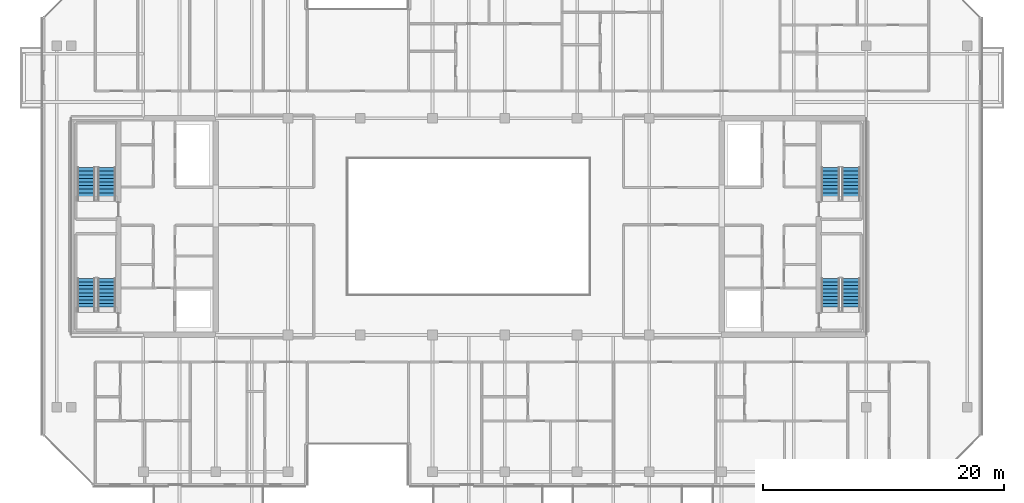
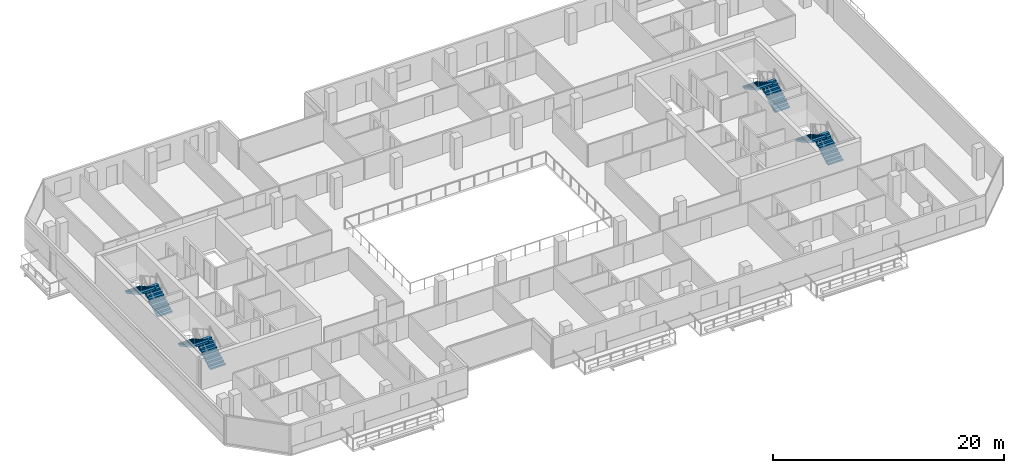
# One storey, part 24 of 29: 8 stair flights, 4 elements without a shape of their own.
"""IFC4 building model written with IfcOpenShell, lengths in metres."""

from ifc_helpers import new_model, si_unit, direction, frame, origin, place, context, subcontext, project, spatial, polyline, outline, extrude, material, type_object, element, aggregate, save


model = new_model("IFC4")

# Units and contexts
model_context = context("Model", 3, precision=1e-05, world=origin(), true_north=direction((0.0, 1.0)))
body_context = subcontext(model_context, "Body", "Model", "MODEL_VIEW")
ifc_project = project(units=[si_unit("LENGTHUNIT", "METRE"), si_unit("AREAUNIT", "SQUARE_METRE"), si_unit("VOLUMEUNIT", "CUBIC_METRE"), si_unit("PLANEANGLEUNIT", "RADIAN"), si_unit("MASSUNIT", "GRAM", prefix="KILO")], contexts=[model_context])

# Site, building, storey
site_placement = place(None, origin())
site = spatial("IfcSite", under=ifc_project, at=site_placement, CompositionType="ELEMENT")
building_placement = place(site_placement, origin())
building = spatial("IfcBuilding", under=site, at=building_placement, Name="Tanjung Sevakor Pilgrim Tower", CompositionType="ELEMENT")
storey_placement = place(building_placement, frame((0.0, 0.0, 181.830078125)))
storey = spatial("IfcBuildingStorey", under=building, at=storey_placement, Name="L50", CompositionType="ELEMENT", Elevation=181.830078125)

# Stair, stair flights
ifc_material_1 = material(Name="Concrete C40/50", Category="concrete")
stair_type = type_object("IfcStairType", Name="STAIR-ST-CR150", PredefinedType="HALF_TURN_STAIR", material=ifc_material_1)
stair_1_placement = place(storey_placement, origin())
stair_1 = element("IfcStair", 1, at=stair_1_placement, inside=storey, type_object=stair_type, Name="L50 West Core Exit Stair 1", PredefinedType="HALF_TURN_STAIR")
ifc_material_2 = material(Name="Concrete C40/50", Category="concrete")
stair_flight_type = type_object("IfcStairFlightType", Name="FLIGHT-ST-CR150", PredefinedType="STRAIGHT", material=ifc_material_2)
stair_flight_1_placement = place(storey_placement, frame((26.949951171875, 26.60009765625, 0.0), z_axis=(0.0, 0.0, 1.0), x_axis=(0.0, 1.0, 0.0)))
stair_flight_1 = element("IfcStairFlight", 2, at=stair_flight_1_placement, type_object=stair_flight_type, Name="TS-W1 flight 1", NumberOfRisers=10, NumberOfTreads=9, PredefinedType="STRAIGHT", RiserHeight=0.165, TreadLength=0.3, context=body_context, shape_type="SweptSolid", body=[
    extrude(outline(polyline([(0.0, 0.0), (0.0, 0.1650390625), (0.300048828125, 0.1650390625), (0.300048828125, 0.330078125), (0.60009765625, 0.330078125), (0.60009765625, 0.4951171875), (0.89990234375, 0.4951171875), (0.89990234375, 0.659912109375), (1.199951171875, 0.659912109375), (1.199951171875, 0.824951171875), (1.5, 0.824951171875), (1.5, 0.989990234375), (1.800048828125, 0.989990234375), (1.800048828125, 1.155029296875), (2.10009765625, 1.155029296875), (2.10009765625, 1.320068359375), (2.39990234375, 1.320068359375), (2.39990234375, 1.485107421875), (2.699951171875, 1.485107421875), (2.699951171875, 1.64990234375), (2.699951171875, 1.302490234375), (0.331787109375, 0.0), (0.0, 0.0)])), frame((0.0, 0.75, 0.0), z_axis=(0.0, -1.0, 0.0), x_axis=(1.0, 0.0, 0.0)), (0.0, 0.0, 1.0), 1.5),
])
stair_flight_2_placement = place(storey_placement, frame((25.25, 29.300048828125, 1.64990234375), z_axis=(0.0, 0.0, 1.0), x_axis=(0.0, -1.0, 0.0)))
stair_flight_2 = element("IfcStairFlight", 3, at=stair_flight_2_placement, type_object=stair_flight_type, Name="TS-W1 flight 2", NumberOfRisers=10, NumberOfTreads=9, PredefinedType="STRAIGHT", RiserHeight=0.165, TreadLength=0.3, context=body_context, shape_type="SweptSolid", body=[
    extrude(outline(polyline([(0.0, 0.0), (0.0, 0.1650390625), (0.300048828125, 0.1650390625), (0.300048828125, 0.330078125), (0.60009765625, 0.330078125), (0.60009765625, 0.4951171875), (0.89990234375, 0.4951171875), (0.89990234375, 0.659912109375), (1.199951171875, 0.659912109375), (1.199951171875, 0.824951171875), (1.5, 0.824951171875), (1.5, 0.989990234375), (1.800048828125, 0.989990234375), (1.800048828125, 1.155029296875), (2.10009765625, 1.155029296875), (2.10009765625, 1.320068359375), (2.39990234375, 1.320068359375), (2.39990234375, 1.485107421875), (2.699951171875, 1.485107421875), (2.699951171875, 1.64990234375), (2.699951171875, 1.302490234375), (0.331787109375, 0.0), (0.0, 0.0)])), frame((0.0, 0.75, 0.0), z_axis=(0.0, -1.0, 0.0), x_axis=(1.0, 0.0, 0.0)), (0.0, 0.0, 1.0), 1.5),
])
aggregate(stair_1, [stair_flight_1, stair_flight_2])

stair_2_placement = place(storey_placement, origin())
stair_2 = element("IfcStair", 4, at=stair_2_placement, inside=storey, type_object=stair_type, Name="L50 West Core Exit Stair 2", PredefinedType="HALF_TURN_STAIR")
stair_flight_3_placement = place(storey_placement, frame((26.949951171875, 35.800048828125, 0.0), z_axis=(0.0, 0.0, 1.0), x_axis=(0.0, 1.0, 0.0)))
stair_flight_3 = element("IfcStairFlight", 5, at=stair_flight_3_placement, type_object=stair_flight_type, Name="TS-W2 flight 1", NumberOfRisers=10, NumberOfTreads=9, PredefinedType="STRAIGHT", RiserHeight=0.165, TreadLength=0.3, context=body_context, shape_type="SweptSolid", body=[
    extrude(outline(polyline([(0.0, 0.0), (0.0, 0.1650390625), (0.300048828125, 0.1650390625), (0.300048828125, 0.330078125), (0.60009765625, 0.330078125), (0.60009765625, 0.4951171875), (0.89990234375, 0.4951171875), (0.89990234375, 0.659912109375), (1.199951171875, 0.659912109375), (1.199951171875, 0.824951171875), (1.5, 0.824951171875), (1.5, 0.989990234375), (1.800048828125, 0.989990234375), (1.800048828125, 1.155029296875), (2.10009765625, 1.155029296875), (2.10009765625, 1.320068359375), (2.39990234375, 1.320068359375), (2.39990234375, 1.485107421875), (2.699951171875, 1.485107421875), (2.699951171875, 1.64990234375), (2.699951171875, 1.302490234375), (0.331787109375, 0.0), (0.0, 0.0)])), frame((0.0, 0.75, 0.0), z_axis=(0.0, -1.0, 0.0), x_axis=(1.0, 0.0, 0.0)), (0.0, 0.0, 1.0), 1.5),
])
stair_flight_4_placement = place(storey_placement, frame((25.25, 38.5, 1.64990234375), z_axis=(0.0, 0.0, 1.0), x_axis=(0.0, -1.0, 0.0)))
stair_flight_4 = element("IfcStairFlight", 6, at=stair_flight_4_placement, type_object=stair_flight_type, Name="TS-W2 flight 2", NumberOfRisers=10, NumberOfTreads=9, PredefinedType="STRAIGHT", RiserHeight=0.165, TreadLength=0.3, context=body_context, shape_type="SweptSolid", body=[
    extrude(outline(polyline([(0.0, 0.0), (0.0, 0.1650390625), (0.300048828125, 0.1650390625), (0.300048828125, 0.330078125), (0.60009765625, 0.330078125), (0.60009765625, 0.4951171875), (0.89990234375, 0.4951171875), (0.89990234375, 0.659912109375), (1.199951171875, 0.659912109375), (1.199951171875, 0.824951171875), (1.5, 0.824951171875), (1.5, 0.989990234375), (1.800048828125, 0.989990234375), (1.800048828125, 1.155029296875), (2.10009765625, 1.155029296875), (2.10009765625, 1.320068359375), (2.39990234375, 1.320068359375), (2.39990234375, 1.485107421875), (2.699951171875, 1.485107421875), (2.699951171875, 1.64990234375), (2.699951171875, 1.302490234375), (0.331787109375, 0.0), (0.0, 0.0)])), frame((0.0, 0.75, 0.0), z_axis=(0.0, -1.0, 0.0), x_axis=(1.0, 0.0, 0.0)), (0.0, 0.0, 1.0), 1.5),
])
aggregate(stair_2, [stair_flight_3, stair_flight_4])

stair_3_placement = place(storey_placement, origin())
stair_3 = element("IfcStair", 7, at=stair_3_placement, inside=storey, type_object=stair_type, Name="L50 East Core Exit Stair 1", PredefinedType="HALF_TURN_STAIR")
stair_flight_5_placement = place(storey_placement, frame((88.75, 26.60009765625, 0.0), z_axis=(0.0, 0.0, 1.0), x_axis=(0.0, 1.0, 0.0)))
stair_flight_5 = element("IfcStairFlight", 8, at=stair_flight_5_placement, type_object=stair_flight_type, Name="TS-E1 flight 1", NumberOfRisers=10, NumberOfTreads=9, PredefinedType="STRAIGHT", RiserHeight=0.165, TreadLength=0.3, context=body_context, shape_type="SweptSolid", body=[
    extrude(outline(polyline([(0.0, 0.0), (0.0, 0.1650390625), (0.300048828125, 0.1650390625), (0.300048828125, 0.330078125), (0.60009765625, 0.330078125), (0.60009765625, 0.4951171875), (0.89990234375, 0.4951171875), (0.89990234375, 0.659912109375), (1.199951171875, 0.659912109375), (1.199951171875, 0.824951171875), (1.5, 0.824951171875), (1.5, 0.989990234375), (1.800048828125, 0.989990234375), (1.800048828125, 1.155029296875), (2.10009765625, 1.155029296875), (2.10009765625, 1.320068359375), (2.39990234375, 1.320068359375), (2.39990234375, 1.485107421875), (2.699951171875, 1.485107421875), (2.699951171875, 1.64990234375), (2.699951171875, 1.302490234375), (0.331787109375, 0.0), (0.0, 0.0)])), frame((0.0, 0.75, 0.0), z_axis=(0.0, -1.0, 0.0), x_axis=(1.0, 0.0, 0.0)), (0.0, 0.0, 1.0), 1.5),
])
stair_flight_6_placement = place(storey_placement, frame((87.050048828125, 29.300048828125, 1.64990234375), z_axis=(0.0, 0.0, 1.0), x_axis=(0.0, -1.0, 0.0)))
stair_flight_6 = element("IfcStairFlight", 9, at=stair_flight_6_placement, type_object=stair_flight_type, Name="TS-E1 flight 2", NumberOfRisers=10, NumberOfTreads=9, PredefinedType="STRAIGHT", RiserHeight=0.165, TreadLength=0.3, context=body_context, shape_type="SweptSolid", body=[
    extrude(outline(polyline([(0.0, 0.0), (0.0, 0.1650390625), (0.300048828125, 0.1650390625), (0.300048828125, 0.330078125), (0.60009765625, 0.330078125), (0.60009765625, 0.4951171875), (0.89990234375, 0.4951171875), (0.89990234375, 0.659912109375), (1.199951171875, 0.659912109375), (1.199951171875, 0.824951171875), (1.5, 0.824951171875), (1.5, 0.989990234375), (1.800048828125, 0.989990234375), (1.800048828125, 1.155029296875), (2.10009765625, 1.155029296875), (2.10009765625, 1.320068359375), (2.39990234375, 1.320068359375), (2.39990234375, 1.485107421875), (2.699951171875, 1.485107421875), (2.699951171875, 1.64990234375), (2.699951171875, 1.302490234375), (0.331787109375, 0.0), (0.0, 0.0)])), frame((0.0, 0.75, 0.0), z_axis=(0.0, -1.0, 0.0), x_axis=(1.0, 0.0, 0.0)), (0.0, 0.0, 1.0), 1.5),
])
aggregate(stair_3, [stair_flight_5, stair_flight_6])

stair_4_placement = place(storey_placement, origin())
stair_4 = element("IfcStair", 10, at=stair_4_placement, inside=storey, type_object=stair_type, Name="L50 East Core Exit Stair 2", PredefinedType="HALF_TURN_STAIR")
stair_flight_7_placement = place(storey_placement, frame((88.75, 35.800048828125, 0.0), z_axis=(0.0, 0.0, 1.0), x_axis=(0.0, 1.0, 0.0)))
stair_flight_7 = element("IfcStairFlight", 11, at=stair_flight_7_placement, type_object=stair_flight_type, Name="TS-E2 flight 1", NumberOfRisers=10, NumberOfTreads=9, PredefinedType="STRAIGHT", RiserHeight=0.165, TreadLength=0.3, context=body_context, shape_type="SweptSolid", body=[
    extrude(outline(polyline([(0.0, 0.0), (0.0, 0.1650390625), (0.300048828125, 0.1650390625), (0.300048828125, 0.330078125), (0.60009765625, 0.330078125), (0.60009765625, 0.4951171875), (0.89990234375, 0.4951171875), (0.89990234375, 0.659912109375), (1.199951171875, 0.659912109375), (1.199951171875, 0.824951171875), (1.5, 0.824951171875), (1.5, 0.989990234375), (1.800048828125, 0.989990234375), (1.800048828125, 1.155029296875), (2.10009765625, 1.155029296875), (2.10009765625, 1.320068359375), (2.39990234375, 1.320068359375), (2.39990234375, 1.485107421875), (2.699951171875, 1.485107421875), (2.699951171875, 1.64990234375), (2.699951171875, 1.302490234375), (0.331787109375, 0.0), (0.0, 0.0)])), frame((0.0, 0.75, 0.0), z_axis=(0.0, -1.0, 0.0), x_axis=(1.0, 0.0, 0.0)), (0.0, 0.0, 1.0), 1.5),
])
stair_flight_8_placement = place(storey_placement, frame((87.050048828125, 38.5, 1.64990234375), z_axis=(0.0, 0.0, 1.0), x_axis=(0.0, -1.0, 0.0)))
stair_flight_8 = element("IfcStairFlight", 12, at=stair_flight_8_placement, type_object=stair_flight_type, Name="TS-E2 flight 2", NumberOfRisers=10, NumberOfTreads=9, PredefinedType="STRAIGHT", RiserHeight=0.165, TreadLength=0.3, context=body_context, shape_type="SweptSolid", body=[
    extrude(outline(polyline([(0.0, 0.0), (0.0, 0.1650390625), (0.300048828125, 0.1650390625), (0.300048828125, 0.330078125), (0.60009765625, 0.330078125), (0.60009765625, 0.4951171875), (0.89990234375, 0.4951171875), (0.89990234375, 0.659912109375), (1.199951171875, 0.659912109375), (1.199951171875, 0.824951171875), (1.5, 0.824951171875), (1.5, 0.989990234375), (1.800048828125, 0.989990234375), (1.800048828125, 1.155029296875), (2.10009765625, 1.155029296875), (2.10009765625, 1.320068359375), (2.39990234375, 1.320068359375), (2.39990234375, 1.485107421875), (2.699951171875, 1.485107421875), (2.699951171875, 1.64990234375), (2.699951171875, 1.302490234375), (0.331787109375, 0.0), (0.0, 0.0)])), frame((0.0, 0.75, 0.0), z_axis=(0.0, -1.0, 0.0), x_axis=(1.0, 0.0, 0.0)), (0.0, 0.0, 1.0), 1.5),
])
aggregate(stair_4, [stair_flight_7, stair_flight_8])

save(model, "model.ifc")
